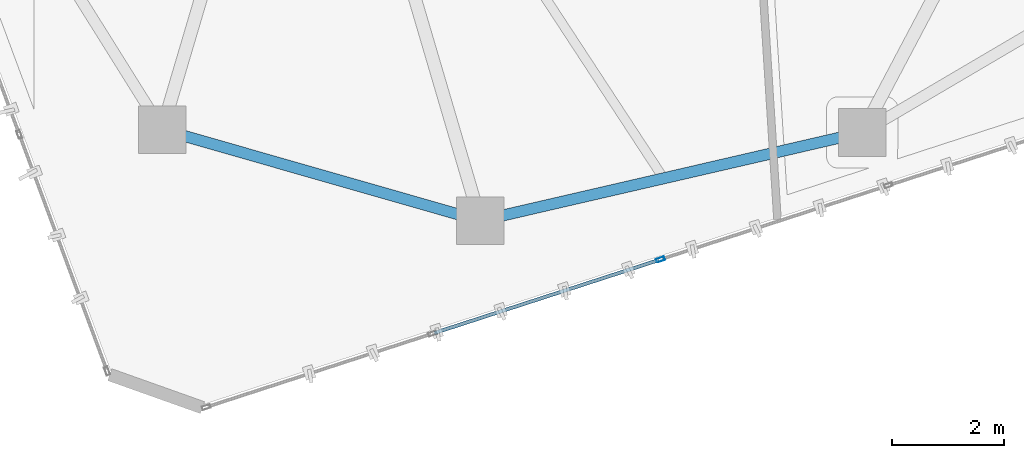
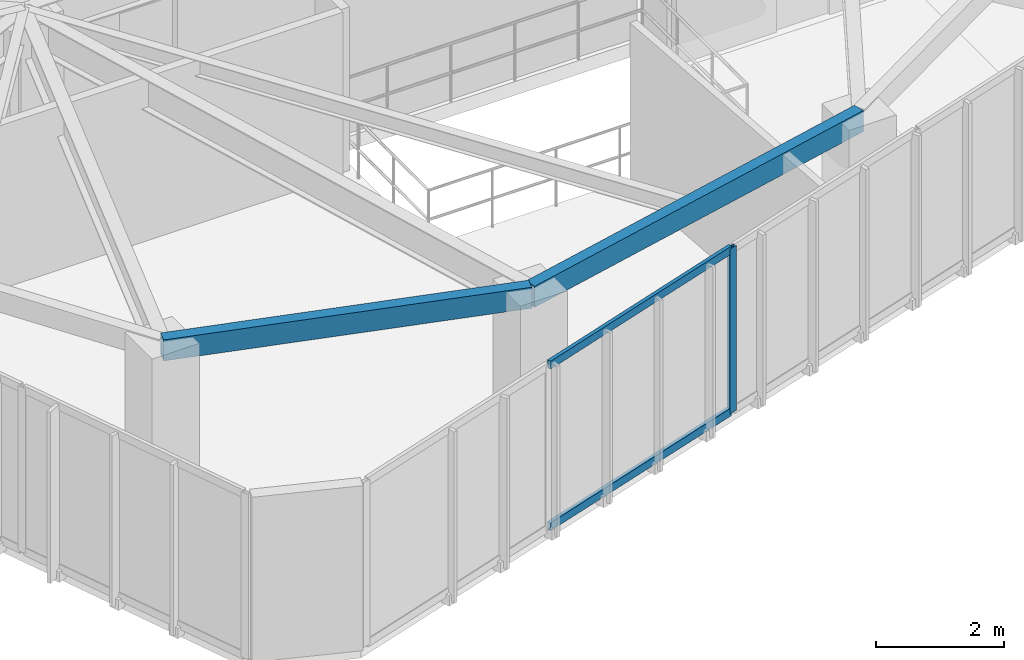
# One storey, part 3 of 19: 3 members, 2 beams, 1 element without a shape of its own.
"""IFC4 building model written with IfcOpenShell, lengths in metres."""

from ifc_helpers import new_model, si_unit, direction, frame, origin, origin_2d, place, context, subcontext, project, spatial, hollow_rectangle, extrude, source, transform, mapped, material, layer, layer_set, material_profile, profile_set, type_object, type_shapes, element, aggregate, save


model = new_model("IFC4")

# Units and contexts
model_context = context("Model", 3, precision=1e-05, world=origin(), true_north=direction((0.0, 1.0)))
body_context = subcontext(model_context, "Body", "Model", "MODEL_VIEW")
ifc_project = project(units=[si_unit("LENGTHUNIT", "METRE"), si_unit("AREAUNIT", "SQUARE_METRE"), si_unit("VOLUMEUNIT", "CUBIC_METRE"), si_unit("PLANEANGLEUNIT", "RADIAN"), si_unit("MASSUNIT", "GRAM", prefix="KILO")], contexts=[model_context])

# Site, building, storey
site_placement = place(None, origin())
site = spatial("IfcSite", under=ifc_project, at=site_placement, CompositionType="ELEMENT")
building_placement = place(site_placement, origin())
building = spatial("IfcBuilding", under=site, at=building_placement, Name="Talar Marvaseh", CompositionType="ELEMENT")
storey_placement = place(building_placement, frame((0.0, 0.0, 288.39990234375)))
storey = spatial("IfcBuildingStorey", under=building, at=storey_placement, Name="L77", CompositionType="ELEMENT", Elevation=288.39990234375)

# Beams
ifc_material_1 = material(Name="Steel S355", Category="steel")
ifc_material_profile_1 = material_profile(ifc_material_1, hollow_rectangle(XDim=0.199951171875, YDim=0.39990234375, WallThickness=0.013916015625, at=origin_2d()), Name="RHS400x200x14")
ifc_profile_set_1 = profile_set([ifc_material_profile_1], Name="Steel S355")
beam_type = type_object("IfcBeamType", Name="Zone 3 Perimeter Spandrel Beam RHS400x200x14", PredefinedType="SPANDREL", material=ifc_profile_set_1)
beam_1_placement = place(storey_placement, frame((28.60498046875, 16.616943359375, 2.940185546875), z_axis=(-0.974361245946, -0.22498924952, 0.0), x_axis=(0.22498924952, -0.974361245946, 0.0)))
element("IfcBeam", 1, at=beam_1_placement, inside=storey, type_object=beam_type, Name="L77 Zone 3 Perimeter Spandrel Beam RHS400x200x14", PredefinedType="SPANDREL", context=body_context, shape_type="SweptSolid", body=[
    extrude(hollow_rectangle(XDim=0.199951171875, YDim=0.39990234375, WallThickness=0.013916015625, at=origin_2d()), origin(), (0.0, 0.0, 1.0), 7.0087890625),
])
beam_2_placement = place(storey_placement, frame((21.77587890625, 15.0400390625, 2.940185546875), z_axis=(-0.961411768303, 0.275113452538, 0.0), x_axis=(-0.275113452538, -0.961411768303, 0.0)))
element("IfcBeam", 2, at=beam_2_placement, inside=storey, type_object=beam_type, Name="L77 Zone 3 Perimeter Spandrel Beam RHS400x200x14", PredefinedType="SPANDREL", context=body_context, shape_type="SweptSolid", body=[
    extrude(hollow_rectangle(XDim=0.199951171875, YDim=0.39990234375, WallThickness=0.013916015625, at=origin_2d()), origin(), (0.0, 0.0, 1.0), 5.917236328125),
])

# Curtain wall, members
ifc_material_2 = material(Name="Architectural Aluminium", Category="aluminium")
ifc_layer = layer(ifc_material_2, 0.179931640625)
ifc_layer_set = layer_set([ifc_layer], Name="Architectural Aluminium")
curtain_wall_type = type_object("IfcCurtainWallType", Name="Unitised High-Wind Sky Curtain Wall Z4", PredefinedType="NOTDEFINED", material=ifc_layer_set)
curtain_wall_placement = place(storey_placement, origin())
curtain_wall = element("IfcCurtainWall", 3, at=curtain_wall_placement, inside=storey, type_object=curtain_wall_type, Name="L77 Unitised High-Wind Sky Curtain Wall Z4", PredefinedType="NOTDEFINED")
ifc_material_profile_2 = material_profile(ifc_material_2, hollow_rectangle(XDim=0.06494140625, YDim=0.14990234375, WallThickness=0.00390625, at=origin_2d()), Name="RHS150x65x4")
ifc_profile_set_2 = profile_set([ifc_material_profile_2], Name="Architectural Aluminium")
member_type_1 = type_object("IfcMemberType", Name="Unitised Curtain Wall Slim Transom RHS150x65x4", PredefinedType="USERDEFINED", material=ifc_profile_set_2)
shared_shape_1 = source(origin(), body_context, "Body", "SweptSolid", [
    extrude(hollow_rectangle(XDim=0.06494140625, YDim=0.14990234375, WallThickness=0.00390625, at=origin_2d()), origin(), (0.0, 0.0, 1.0), 4.22119140625),
])
type_shapes(member_type_1, [shared_shape_1])
member_1_placement = place(storey_placement, frame((24.96728515625, 14.3359375, 0.03271484375), z_axis=(-0.951016640869, -0.309139691385, 0.0), x_axis=(0.309139691385, -0.951016640869, 0.0)))
member_1 = element("IfcMember", 4, at=member_1_placement, type_object=member_type_1, Name="CW-Z4 transom 3.1", ObjectType="TRANSOM", PredefinedType="USERDEFINED", context=body_context, shape_type="MappedRepresentation", body=[
    mapped(shared_shape_1, transform((0.0, 0.0, 0.0), x_axis=(1.0, 0.0, 0.0), y_axis=(0.0, 1.0, 0.0), z_axis=(0.0, 0.0, 1.0), scale=1.0)),
])
member_2_placement = place(storey_placement, frame((24.96728515625, 14.3359375, 3.107666015625), z_axis=(-0.951016640869, -0.309139691385, 0.0), x_axis=(0.309139691385, -0.951016640869, 0.0)))
member_2 = element("IfcMember", 5, at=member_2_placement, type_object=member_type_1, Name="CW-Z4 transom 3.2", ObjectType="TRANSOM", PredefinedType="USERDEFINED", context=body_context, shape_type="MappedRepresentation", body=[
    mapped(shared_shape_1, transform((0.0, 0.0, 0.0), x_axis=(1.0, 0.0, 0.0), y_axis=(0.0, 1.0, 0.0), z_axis=(0.0, 0.0, 1.0), scale=1.0)),
])
ifc_material_profile_3 = material_profile(ifc_material_2, hollow_rectangle(XDim=0.06494140625, YDim=0.14990234375, WallThickness=0.00390625, at=origin_2d()), Name="RHS150x65x4")
ifc_profile_set_3 = profile_set([ifc_material_profile_3], Name="Architectural Aluminium")
member_type_2 = type_object("IfcMemberType", Name="Unitised Curtain Wall Slim Mullion RHS150x65x4", PredefinedType="MULLION", material=ifc_profile_set_3)
shared_shape_2 = source(origin(), body_context, "Body", "SweptSolid", [
    extrude(hollow_rectangle(XDim=0.06494140625, YDim=0.14990234375, WallThickness=0.00390625, at=origin_2d()), origin(), (0.0, 0.0, 1.0), 3.14013671875),
])
type_shapes(member_type_2, [shared_shape_2])
member_3_placement = place(storey_placement, frame((24.998291015625, 14.34619140625, 0.0), z_axis=(0.0, 0.0, 1.0), x_axis=(0.309162168659, -0.95100933406, 0.0)))
member_3 = element("IfcMember", 6, at=member_3_placement, type_object=member_type_2, Name="CW-Z4 mullion 3", PredefinedType="MULLION", context=body_context, shape_type="MappedRepresentation", body=[
    mapped(shared_shape_2, transform((0.0, 0.0, 0.0), x_axis=(1.0, 0.0, 0.0), y_axis=(0.0, 1.0, 0.0), z_axis=(0.0, 0.0, 1.0), scale=1.0)),
])
aggregate(curtain_wall, [member_3, member_1, member_2])

save(model, "model.ifc")
